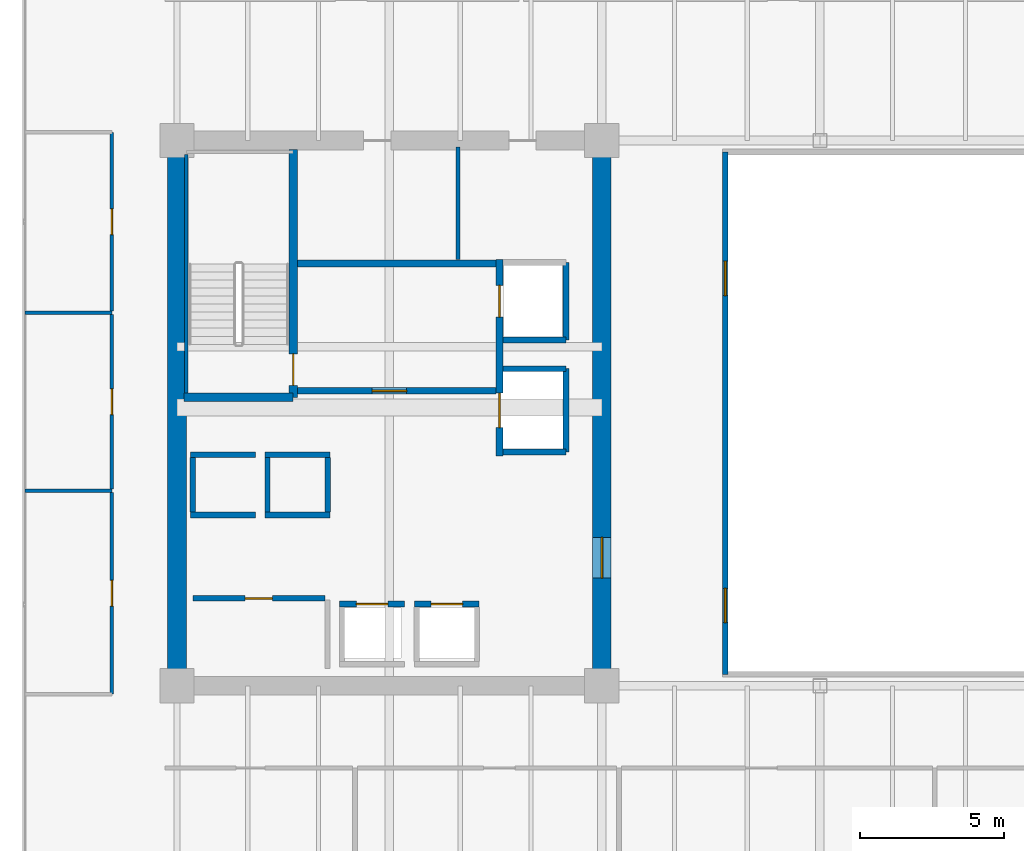
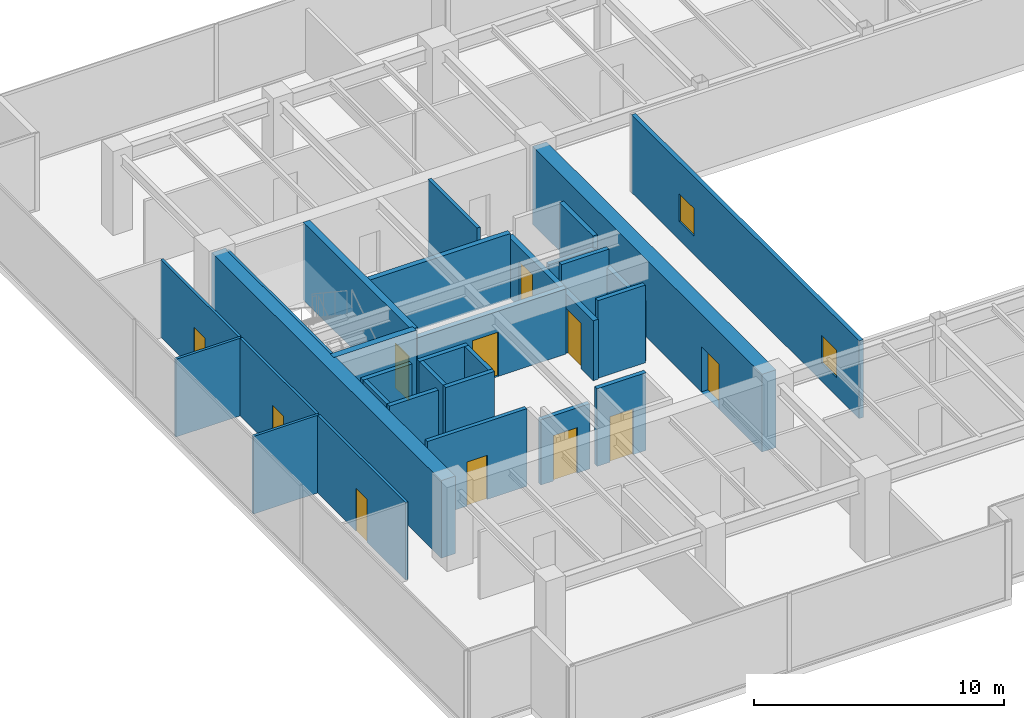
# One storey, part 25 of 30: 30 walls, 11 doors, 2 windows, 13 openings.
"""IFC4 building model written with IfcOpenShell, lengths in metres."""

import ifcopenshell
import ifcopenshell.guid

model = None  # the IFC model being written
_history = None  # IfcOwnerHistory: only IFC2X3 demands one
_inside = {}  # id of a spatial element -> (the spatial element, [elements in it])
_under = {}  # id of a project, library or spatial element -> (it, [spatial elements below it])
_declared = {}  # id of a project -> (the project, [libraries it declares])
_typed = {}  # id of a type object -> (the type object, [elements of that type])
_made_of = {}  # id of a material, layer set ... -> (it, [elements and type objects made of it])


def new_model(schema):
    """Start an empty IFC model of exactly this schema.

    Asked for "IFC4X3", IfcOpenShell would pick the latest addendum, in which some entities
    have other attributes; the version numbers below select the first issue.
    IFC2X3 requires an IfcOwnerHistory on every rooted entity: one is made here for all.
    """
    global model, _history
    if schema == "IFC4X3":
        model = ifcopenshell.file(schema_version=(4, 3, 0, 0))
    else:
        model = ifcopenshell.file(schema=schema)
    _inside.clear()
    _under.clear()
    _declared.clear()
    _typed.clear()
    _made_of.clear()
    _history = None
    if model.schema == "IFC2X3":
        org = make("IfcOrganization", Name="unknown")
        user = make(
            "IfcPersonAndOrganization",
            ThePerson=make("IfcPerson", FamilyName="unknown"),
            TheOrganization=org,
        )
        app = make(
            "IfcApplication",
            ApplicationDeveloper=org,
            Version="unknown",
            ApplicationFullName="unknown",
            ApplicationIdentifier="unknown",
        )
        _history = make(
            "IfcOwnerHistory",
            OwningUser=user,
            OwningApplication=app,
            ChangeAction="ADDED",
            CreationDate=0,
        )
    return model


def make(cls, **values):
    """One entity of the class cls with the attributes given. An attribute that is None is left unset."""
    return model.create_entity(
        cls, **{name: value for name, value in values.items() if value is not None}
    )


def rooted(cls, **values):
    """An entity with a GlobalId (a new one), such as an element, a storey or a relation."""
    return make(cls, GlobalId=ifcopenshell.guid.new(), OwnerHistory=_history, **values)


def si_unit(unit_type, name, prefix=None):
    """IfcSIUnit, for example si_unit("LENGTHUNIT", "METRE", prefix="MILLI")."""
    return make("IfcSIUnit", UnitType=unit_type, Prefix=prefix, Name=name)


def assignment(units):
    """IfcUnitAssignment: the units of a project."""
    return None if units is None else make("IfcUnitAssignment", Units=units)


def point(xyz):
    """IfcCartesianPoint."""
    return None if xyz is None else make("IfcCartesianPoint", Coordinates=xyz)


def direction(xyz):
    """IfcDirection."""
    return None if xyz is None else make("IfcDirection", DirectionRatios=xyz)


def frame(location, z_axis=None, x_axis=None):
    """IfcAxis2Placement3D, a coordinate frame: its origin and axes. An axis left out is left unset."""
    return make(
        "IfcAxis2Placement3D",
        Location=point(location),
        Axis=direction(z_axis),
        RefDirection=direction(x_axis),
    )


def frame_2d(location, x_axis=None):
    """IfcAxis2Placement2D, a coordinate frame in the plane: its origin and x axis."""
    return make(
        "IfcAxis2Placement2D", Location=point(location), RefDirection=direction(x_axis)
    )


def origin():
    """The frame at (0, 0, 0) with its axes left unset."""
    return frame((0.0, 0.0, 0.0))


def place(relative_to, where):
    """IfcLocalPlacement: puts the frame where relative to a parent placement (None: the world)."""
    return make(
        "IfcLocalPlacement", PlacementRelTo=relative_to, RelativePlacement=where
    )


def context(
    kind, dimensions, precision=None, world=None, true_north=None, identifier=None
):
    """IfcGeometricRepresentationContext, for example the 3D "Model" context."""
    return make(
        "IfcGeometricRepresentationContext",
        ContextIdentifier=identifier,
        ContextType=kind,
        CoordinateSpaceDimension=dimensions,
        Precision=precision,
        WorldCoordinateSystem=world,
        TrueNorth=true_north,
    )


def subcontext(parent, identifier, kind, view, scale=None):
    """IfcGeometricRepresentationSubContext, for example "Body" below "Model"."""
    return make(
        "IfcGeometricRepresentationSubContext",
        ContextIdentifier=identifier,
        ContextType=kind,
        ParentContext=parent,
        TargetScale=scale,
        TargetView=view,
    )


def project(units=None, contexts=None):
    """IfcProject with its units and contexts."""
    return rooted(
        "IfcProject",
        Name="project",
        RepresentationContexts=contexts,
        UnitsInContext=assignment(units),
    )


def spatial(cls, under=None, at=None, **own):
    """A site, building, storey or space (cls), placed at a placement, below another one or the project."""
    s = rooted(cls, ObjectPlacement=at, **own)
    if under is not None:
        _under.setdefault(under.id(), (under, []))[1].append(s)
    return s


def profile(cls, at=None, kind="AREA", **sizes):
    """A parametric profile (cls). Its sizes go by their IFC names, for example OverallWidth=200.0."""
    return make(cls, ProfileType=kind, Position=at, **sizes)


def rectangle(**sizes):
    """IfcRectangleProfileDef."""
    return profile("IfcRectangleProfileDef", **sizes)


def extrude(swept, where, along, depth):
    """IfcExtrudedAreaSolid: the profile swept, set in the frame where, extruded along a direction by depth."""
    return make(
        "IfcExtrudedAreaSolid",
        SweptArea=swept,
        Position=where,
        ExtrudedDirection=direction(along),
        Depth=depth,
    )


def shape(context_of_items, identifier, shape_type, items):
    """IfcShapeRepresentation: the items that make up one representation, for example the "Body"."""
    return make(
        "IfcShapeRepresentation",
        ContextOfItems=context_of_items,
        RepresentationIdentifier=identifier,
        RepresentationType=shape_type,
        Items=items,
    )


def source(mapping_origin, context_of_items, identifier, shape_type, items):
    """IfcRepresentationMap: a shape defined once, which mapped items show again and again."""
    return make(
        "IfcRepresentationMap",
        MappingOrigin=mapping_origin,
        MappedRepresentation=shape(context_of_items, identifier, shape_type, items),
    )


def transform(
    local_origin,
    x_axis=None,
    y_axis=None,
    z_axis=None,
    scale=None,
    scale2=None,
    scale3=None,
    uniform=True,
):
    """IfcCartesianTransformationOperator3D, or its non-uniform kind. x_axis, y_axis, z_axis: its Axis1, 2, 3."""
    if uniform:
        return make(
            "IfcCartesianTransformationOperator3D",
            Axis1=direction(x_axis),
            Axis2=direction(y_axis),
            LocalOrigin=point(local_origin),
            Scale=scale,
            Axis3=direction(z_axis),
        )
    return make(
        "IfcCartesianTransformationOperator3DnonUniform",
        Axis1=direction(x_axis),
        Axis2=direction(y_axis),
        LocalOrigin=point(local_origin),
        Scale=scale,
        Axis3=direction(z_axis),
        Scale2=scale2,
        Scale3=scale3,
    )


def mapped(mapping_source, mapping_target):
    """IfcMappedItem: shows the shape of a source again, moved by a transform."""
    return make(
        "IfcMappedItem", MappingSource=mapping_source, MappingTarget=mapping_target
    )


def material(Name=None, Category=None):
    """IfcMaterial."""
    return make("IfcMaterial", Name=Name, Category=Category)


def layer(
    of_material, thickness, ventilated=None, Name=None, Category=None, Priority=None
):
    """IfcMaterialLayer: one layer of a wall or slab, of a material (None: an air gap)."""
    return make(
        "IfcMaterialLayer",
        Material=of_material,
        LayerThickness=thickness,
        IsVentilated=ventilated,
        Name=Name,
        Category=Category,
        Priority=Priority,
    )


def layer_set(layers, Name=None):
    """IfcMaterialLayerSet."""
    return make("IfcMaterialLayerSet", MaterialLayers=layers, LayerSetName=Name)


def made_of(thing, what):
    """Note that an element or type object is made of a material, layer set ...; save() writes the relation."""
    if what is not None:
        _made_of.setdefault(what.id(), (what, []))[1].append(thing)
    return thing


def type_object(cls, material=None, **own):
    """A type object (cls), such as IfcWallType, which elements share."""
    return made_of(rooted(cls, **own), material)


def type_shapes(of_type, sources):
    """Give a type object the sources (RepresentationMaps) that its elements show as mapped items."""
    of_type.RepresentationMaps = sources


def element(
    cls,
    number,
    at=None,
    inside=None,
    cuts=None,
    type_object=None,
    material=None,
    context=None,
    identifier="Body",
    shape_type=None,
    held_by="IfcProductDefinitionShape",
    body=None,
    shapes=None,
    **own,
):
    """One element of the class cls, such as IfcWall. Its Tag is "e" and its number.

    at: its placement. inside: the storey or other place that contains it. cuts: it is an
    opening in that element (IfcRelVoidsElement). A single representation is given by context,
    identifier, shape_type and body (its items); several are given by shapes. held_by: the class
    of the entity that holds the representations. save() writes the other relations.
    """
    e = rooted(cls, Tag="e%d" % number, ObjectPlacement=at, **own)
    if body is not None:
        shapes = [shape(context, identifier, shape_type, body)]
    if shapes is not None:
        e.Representation = make(held_by, Representations=shapes)
    if inside is not None:
        _inside.setdefault(inside.id(), (inside, []))[1].append(e)
    if cuts is not None:
        rooted(
            "IfcRelVoidsElement", RelatingBuildingElement=cuts, RelatedOpeningElement=e
        )
    if type_object is not None:
        _typed.setdefault(type_object.id(), (type_object, []))[1].append(e)
    return made_of(e, material)


def fill(opening, filler):
    """IfcRelFillsElement: the door or window that sits in an opening."""
    return rooted(
        "IfcRelFillsElement",
        RelatingOpeningElement=opening,
        RelatedBuildingElement=filler,
    )


def aggregate(whole, parts):
    """IfcRelAggregates: a whole, such as a stair, and the parts it consists of."""
    return rooted("IfcRelAggregates", RelatingObject=whole, RelatedObjects=parts)


def save(model, path):
    """Write the relations noted so far, then the file.

    IfcRelAggregates (storeys below a building ...), IfcRelContainedInSpatialStructure (elements
    in a storey), IfcRelDefinesByType, IfcRelAssociatesMaterial and IfcRelDeclares: one each for
    every whole, place, type object, material and project.
    """
    for whole, parts in _under.values():
        aggregate(whole, parts)
    for where, things in _inside.values():
        rooted(
            "IfcRelContainedInSpatialStructure",
            RelatedElements=things,
            RelatingStructure=where,
        )
    for kind, things in _typed.values():
        rooted("IfcRelDefinesByType", RelatedObjects=things, RelatingType=kind)
    for what, things in _made_of.values():
        rooted("IfcRelAssociatesMaterial", RelatedObjects=things, RelatingMaterial=what)
    for by, libraries in _declared.values():
        rooted("IfcRelDeclares", RelatingContext=by, RelatedDefinitions=libraries)
    model.write(path)


model = new_model("IFC4")

# Units and contexts
model_context = context("Model", 3, precision=1e-05, world=origin(), true_north=direction((0.0, 1.0)))
body_context = subcontext(model_context, "Body", "Model", "MODEL_VIEW")
ifc_project = project(units=[si_unit("LENGTHUNIT", "METRE"), si_unit("AREAUNIT", "SQUARE_METRE"), si_unit("VOLUMEUNIT", "CUBIC_METRE"), si_unit("PLANEANGLEUNIT", "RADIAN"), si_unit("MASSUNIT", "GRAM", prefix="KILO")], contexts=[model_context])

# Site, building, storey
site_placement = place(None, origin())
site = spatial("IfcSite", under=ifc_project, at=site_placement, CompositionType="ELEMENT")
building_placement = place(site_placement, origin())
building = spatial("IfcBuilding", under=site, at=building_placement, Name="Haelvirn Gate Laboratories", CompositionType="ELEMENT")
storey_placement = place(building_placement, frame((0.0, 0.0, 162.5)))
storey = spatial("IfcBuildingStorey", under=building, at=storey_placement, Name="L39", CompositionType="ELEMENT", Elevation=162.5)

# Wall, openings, windows
ifc_material_1 = material(Name="Tempered fire-rated borosilicate glass & anodised aluminium", Category="aluminium")
ifc_layer_1 = layer(ifc_material_1, 0.195068359375, Name="IW-GLAZ-200")
ifc_layer_set_1 = layer_set([ifc_layer_1], Name="Tempered fire-rated borosilicate glass & anodised aluminium")
wall_type_1 = type_object("IfcWallType", Name="IW-GLAZ-200", PredefinedType="SOLIDWALL", material=ifc_layer_set_1)
wall_1_placement = place(storey_placement, frame((26.5, 15.199951171875, 0.0), z_axis=(0.0, 0.0, 1.0), x_axis=(0.0, 1.0, 0.0)))
wall_1 = element("IfcWall", 1, at=wall_1_placement, inside=storey, type_object=wall_type_1, Name="L39 Interior Wall IW-L39-ATRIUM-W", PredefinedType="SOLIDWALL", context=body_context, shape_type="SweptSolid", body=[
    extrude(rectangle(XDim=18.199951171875, YDim=0.195068359375, at=frame_2d((9.10009765625, 0.0))), origin(), (0.0, 0.0, 1.0), 3.7900390625),
])
opening_1_placement = place(wall_1_placement, frame((1.800048828125, 0.0, 0.89990234375)))
opening_1 = element("IfcOpeningElement", 2, at=opening_1_placement, cuts=wall_1, Name="Opening W6", PredefinedType="OPENING", context=body_context, shape_type="SweptSolid", body=[
    extrude(rectangle(XDim=1.199951171875, YDim=1.35009765625, at=frame_2d((0.60009765625, 0.675048828125))), frame((0.0, 0.107421875, 0.0), z_axis=(0.0, -1.0, 0.0), x_axis=(1.0, 0.0, 0.0)), (0.0, 0.0, 1.0), 0.215087890625),
])
opening_2_placement = place(wall_1_placement, frame((13.199951171875, 0.0, 0.89990234375)))
opening_2 = element("IfcOpeningElement", 3, at=opening_2_placement, cuts=wall_1, Name="Opening W6", PredefinedType="OPENING", context=body_context, shape_type="SweptSolid", body=[
    extrude(rectangle(XDim=1.199951171875, YDim=1.35009765625, at=frame_2d((0.60009765625, 0.675048828125))), frame((0.0, 0.107421875, 0.0), z_axis=(0.0, -1.0, 0.0), x_axis=(1.0, 0.0, 0.0)), (0.0, 0.0, 1.0), 0.215087890625),
])
ifc_material_2 = material(Name="Fire-rated EI 120 borosilicate atrium vision glazing", Category="glass")
window_type = type_object("IfcWindowType", Name="WN-ATR-1200", PartitioningType="SINGLE_PANEL", PredefinedType="WINDOW", material=ifc_material_2)
shared_shape_1 = source(origin(), body_context, "Body", "SweptSolid", [
    extrude(rectangle(XDim=1.199951171875, YDim=1.35009765625, at=frame_2d((0.60009765625, 0.675048828125))), frame((0.0, 0.030029296875, 0.0), z_axis=(0.0, -1.0, 0.0), x_axis=(1.0, 0.0, 0.0)), (0.0, 0.0, 1.0), 0.06005859375),
])
type_shapes(window_type, [shared_shape_1])
window_1_placement = place(opening_1_placement, origin())
window_1 = element("IfcWindow", 4, at=window_1_placement, inside=storey, type_object=window_type, Name="L39 Atrium Observation Window 1", OverallHeight=1.35009765625, OverallWidth=1.199951171875, PartitioningType="SINGLE_PANEL", PredefinedType="WINDOW", context=body_context, shape_type="MappedRepresentation", body=[
    mapped(shared_shape_1, transform((0.0, 0.0, 0.0), scale=1.0)),
])
fill(opening_1, window_1)
window_2_placement = place(opening_2_placement, origin())
window_2 = element("IfcWindow", 5, at=window_2_placement, inside=storey, type_object=window_type, Name="L39 Atrium Observation Window 2", OverallHeight=1.35009765625, OverallWidth=1.199951171875, PartitioningType="SINGLE_PANEL", PredefinedType="WINDOW", context=body_context, shape_type="MappedRepresentation", body=[
    mapped(shared_shape_1, transform((0.0, 0.0, 0.0), scale=1.0)),
])
fill(opening_2, window_2)

# Wall, opening, door
ifc_material_3 = material(Name="Lightweight acoustic gypsum board partition", Category="gypsum")
ifc_layer_2 = layer(ifc_material_3, 0.1201171875, Name="IW-PART-120")
ifc_layer_set_2 = layer_set([ifc_layer_2], Name="Lightweight acoustic gypsum board partition")
wall_type_2 = type_object("IfcWallType", Name="IW-PART-120", PredefinedType="PARTITIONING", material=ifc_layer_set_2)
wall_2_placement = place(storey_placement, frame((5.1298828125, 14.514892578125, 0.0), z_axis=(0.0, 0.0, 1.0), x_axis=(0.0, 1.0, 0.0)))
wall_2 = element("IfcWall", 6, at=wall_2_placement, inside=storey, type_object=wall_type_2, Name="L39 Interior Wall IW-L39-WPASS-01", PredefinedType="PARTITIONING", context=body_context, shape_type="SweptSolid", body=[
    extrude(rectangle(XDim=7.025146484375, YDim=0.1201171875, at=frame_2d((3.5126953125, 0.0))), origin(), (0.0, 0.0, 1.0), 3.7900390625),
])
opening_3_placement = place(wall_2_placement, frame((3.0625, 0.0, 0.0)))
opening_3 = element("IfcOpeningElement", 7, at=opening_3_placement, cuts=wall_2, Name="Opening D4", PredefinedType="OPENING", context=body_context, shape_type="SweptSolid", body=[
    extrude(rectangle(XDim=0.89990234375, YDim=2.10009765625, at=frame_2d((0.449951171875, 1.050048828125))), frame((0.0, 0.070068359375, 0.0), z_axis=(0.0, -1.0, 0.0), x_axis=(1.0, 0.0, 0.0)), (0.0, 0.0, 1.0), 0.14013671875),
])
ifc_material_4 = material(Name="Glazed aluminium-framed write-up door", Category="aluminium")
door_type_1 = type_object("IfcDoorType", Name="DR-OFF-900", OperationType="NOTDEFINED", PredefinedType="DOOR", material=ifc_material_4)
shared_shape_2 = source(origin(), body_context, "Body", "SweptSolid", [
    extrude(rectangle(XDim=0.89990234375, YDim=2.10009765625, at=frame_2d((0.449951171875, 1.050048828125))), frame((0.0, 0.02490234375, 0.0), z_axis=(0.0, -1.0, 0.0), x_axis=(1.0, 0.0, 0.0)), (0.0, 0.0, 1.0), 0.050048828125),
])
type_shapes(door_type_1, [shared_shape_2])
door_1_placement = place(opening_3_placement, origin())
door_1 = element("IfcDoor", 8, at=door_1_placement, inside=storey, type_object=door_type_1, Name="L39 Researcher Quiet Study Door W1", OperationType="SINGLE_SWING_LEFT", OverallHeight=2.10009765625, OverallWidth=0.89990234375, PredefinedType="DOOR", context=body_context, shape_type="MappedRepresentation", body=[
    mapped(shared_shape_2, transform((0.0, 0.0, 0.0), scale=1.0)),
])
fill(opening_3, door_1)

# Wall
wall_3_placement = place(storey_placement, frame((2.110107421875, 21.60009765625, 0.0), z_axis=(0.0, 0.0, 1.0), x_axis=(1.0, 0.0, 0.0)))
element("IfcWall", 9, at=wall_3_placement, inside=storey, type_object=wall_type_2, Name="L39 Interior Wall IW-L39-WDIV-01", PredefinedType="PARTITIONING", context=body_context, shape_type="SweptSolid", body=[
    extrude(rectangle(XDim=3.019775390625, YDim=0.1201171875, at=frame_2d((1.509765625, 0.0))), origin(), (0.0, 0.0, 1.0), 3.7900390625),
])

# Wall, opening, door
wall_4_placement = place(storey_placement, frame((5.1298828125, 21.659912109375, 0.0), z_axis=(0.0, 0.0, 1.0), x_axis=(0.0, 1.0, 0.0)))
wall_4 = element("IfcWall", 10, at=wall_4_placement, inside=storey, type_object=wall_type_2, Name="L39 Interior Wall IW-L39-WPASS-02", PredefinedType="PARTITIONING", context=body_context, shape_type="SweptSolid", body=[
    extrude(rectangle(XDim=6.080078125, YDim=0.1201171875, at=frame_2d((3.0400390625, 0.0))), origin(), (0.0, 0.0, 1.0), 3.7900390625),
])
opening_4_placement = place(wall_4_placement, frame((2.590087890625, 0.0, 0.0)))
opening_4 = element("IfcOpeningElement", 11, at=opening_4_placement, cuts=wall_4, Name="Opening D4", PredefinedType="OPENING", context=body_context, shape_type="SweptSolid", body=[
    extrude(rectangle(XDim=0.89990234375, YDim=2.10009765625, at=frame_2d((0.449951171875, 1.050048828125))), frame((0.0, 0.070068359375, 0.0), z_axis=(0.0, -1.0, 0.0), x_axis=(1.0, 0.0, 0.0)), (0.0, 0.0, 1.0), 0.14013671875),
])
door_2_placement = place(opening_4_placement, origin())
door_2 = element("IfcDoor", 12, at=door_2_placement, inside=storey, type_object=door_type_1, Name="L39 Postdoctoral Reading Lounge Door W2", OperationType="SINGLE_SWING_RIGHT", OverallHeight=2.10009765625, OverallWidth=0.89990234375, PredefinedType="DOOR", context=body_context, shape_type="MappedRepresentation", body=[
    mapped(shared_shape_2, transform((0.0, 0.0, 0.0), scale=1.0)),
])
fill(opening_4, door_2)

# Wall
wall_5_placement = place(storey_placement, frame((2.110107421875, 27.800048828125, 0.0), z_axis=(0.0, 0.0, 1.0), x_axis=(1.0, 0.0, 0.0)))
element("IfcWall", 13, at=wall_5_placement, inside=storey, type_object=wall_type_2, Name="L39 Interior Wall IW-L39-WDIV-02", PredefinedType="PARTITIONING", context=body_context, shape_type="SweptSolid", body=[
    extrude(rectangle(XDim=3.019775390625, YDim=0.1201171875, at=frame_2d((1.509765625, 0.0))), origin(), (0.0, 0.0, 1.0), 3.7900390625),
])

# Wall, opening, door
wall_6_placement = place(storey_placement, frame((5.1298828125, 27.860107421875, 0.0), z_axis=(0.0, 0.0, 1.0), x_axis=(0.0, 1.0, 0.0)))
wall_6 = element("IfcWall", 14, at=wall_6_placement, inside=storey, type_object=wall_type_2, Name="L39 Interior Wall IW-L39-WPASS-03", PredefinedType="PARTITIONING", context=body_context, shape_type="SweptSolid", body=[
    extrude(rectangle(XDim=6.224853515625, YDim=0.1201171875, at=frame_2d((3.1123046875, 0.0))), origin(), (0.0, 0.0, 1.0), 3.7900390625),
])
opening_5_placement = place(wall_6_placement, frame((2.66259765625, 0.0, 0.0)))
opening_5 = element("IfcOpeningElement", 15, at=opening_5_placement, cuts=wall_6, Name="Opening D4", PredefinedType="OPENING", context=body_context, shape_type="SweptSolid", body=[
    extrude(rectangle(XDim=0.89990234375, YDim=2.10009765625, at=frame_2d((0.449951171875, 1.050048828125))), frame((0.0, 0.070068359375, 0.0), z_axis=(0.0, -1.0, 0.0), x_axis=(1.0, 0.0, 0.0)), (0.0, 0.0, 1.0), 0.14013671875),
])
door_3_placement = place(opening_5_placement, origin())
door_3 = element("IfcDoor", 16, at=door_3_placement, inside=storey, type_object=door_type_1, Name="L39 Occupational Biosafety Clinic Door W3", OperationType="SINGLE_SWING_LEFT", OverallHeight=2.10009765625, OverallWidth=0.89990234375, PredefinedType="DOOR", context=body_context, shape_type="MappedRepresentation", body=[
    mapped(shared_shape_2, transform((0.0, 0.0, 0.0), scale=1.0)),
])
fill(opening_5, door_3)

# Walls
ifc_material_5 = material(Name="Cement-board restroom plumbing chase wall", Category="gypsum")
ifc_layer_3 = layer(ifc_material_5, 0.155029296875, Name="IW-PLUMB-160")
ifc_layer_set_3 = layer_set([ifc_layer_3], Name="Cement-board restroom plumbing chase wall")
wall_type_3 = type_object("IfcWallType", Name="IW-PLUMB-160", PredefinedType="PLUMBINGWALL", material=ifc_layer_set_3)
wall_7_placement = place(storey_placement, frame((17.18994140625, 29.64990234375, 0.0), z_axis=(0.0, 0.0, 1.0), x_axis=(0.0, 1.0, 0.0)))
element("IfcWall", 17, at=wall_7_placement, inside=storey, type_object=wall_type_3, Name="L39 Interior Wall IW-L39-W-CDIV-1", PredefinedType="PLUMBINGWALL", context=body_context, shape_type="SweptSolid", body=[
    extrude(rectangle(XDim=3.93017578125, YDim=0.155029296875, at=frame_2d((1.965087890625, 0.0))), origin(), (0.0, 0.0, 1.0), 3.7900390625),
])
ifc_material_6 = material(Name="Concrete C40/50", Category="concrete")
ifc_layer_4 = layer(ifc_material_6, 0.179931640625, Name="IW-SHAFT-180")
ifc_layer_set_4 = layer_set([ifc_layer_4], Name="Concrete C40/50")
wall_type_4 = type_object("IfcWallType", Name="IW-SHAFT-180", PredefinedType="SOLIDWALL", material=ifc_layer_set_4)
for number, where, z_axis, x_axis, name in (
    (18, (7.949951171875, 20.85009765625, 0.0), (0.0, 0.0, 1.0), (0.0, 1.0, 0.0), "L39 Interior Wall IW-L39-PL9-SD"),
    (19, (10.550048828125, 20.85009765625, 0.0), (0.0, 0.0, 1.0), (0.0, 1.0, 0.0), "L39 Interior Wall IW-L39-PL10-SD"),
    (20, (12.64990234375, 20.85009765625, 0.0), (0.0, 0.0, 1.0), (0.0, 1.0, 0.0), "L39 Interior Wall IW-L39-PL10-SDE"),
):
    element("IfcWall", number, at=place(storey_placement, frame(where, z_axis=z_axis, x_axis=x_axis)), inside=storey, type_object=wall_type_4, Name=name, PredefinedType="SOLIDWALL", context=body_context, shape_type="SweptSolid", body=[
        extrude(rectangle(XDim=1.89990234375, YDim=0.179931640625, at=frame_2d((0.949951171875, 0.0))), origin(), (0.0, 0.0, 1.0), 3.7900390625),
    ])

# Wall, opening, door
wall_8_placement = place(storey_placement, frame((7.949951171875, 17.85009765625, 0.0), z_axis=(0.0, 0.0, 1.0), x_axis=(1.0, 0.0, 0.0)))
wall_8 = element("IfcWall", 21, at=wall_8_placement, inside=storey, type_object=wall_type_4, Name="L39 Interior Wall IW-L39-W-FREED-LN-1", PredefinedType="SOLIDWALL", context=body_context, shape_type="SweptSolid", body=[
    extrude(rectangle(XDim=4.60009765625, YDim=0.179931640625, at=frame_2d((2.300048828125, 0.0))), origin(), (0.0, 0.0, 1.0), 3.7900390625),
])
opening_6_placement = place(wall_8_placement, frame((1.824951171875, 0.0, 0.0)))
opening_6 = element("IfcOpeningElement", 22, at=opening_6_placement, cuts=wall_8, Name="Opening FD4", PredefinedType="OPENING", context=body_context, shape_type="SweptSolid", body=[
    extrude(rectangle(XDim=0.949951171875, YDim=2.14990234375, at=frame_2d((0.47509765625, 1.074951171875))), frame((0.0, 0.10009765625, 0.0), z_axis=(0.0, -1.0, 0.0), x_axis=(1.0, 0.0, 0.0)), (0.0, 0.0, 1.0), 0.199951171875),
])
ifc_material_7 = material(Name="Fire-rated steel SM355 core service door", Category="steel")
door_type_2 = type_object("IfcDoorType", Name="DR-FD-950", OperationType="NOTDEFINED", PredefinedType="DOOR", material=ifc_material_7)
shared_shape_3 = source(origin(), body_context, "Body", "SweptSolid", [
    extrude(rectangle(XDim=0.949951171875, YDim=2.14990234375, at=frame_2d((0.47509765625, 1.074951171875))), frame((0.0, 0.02490234375, 0.0), z_axis=(0.0, -1.0, 0.0), x_axis=(1.0, 0.0, 0.0)), (0.0, 0.0, 1.0), 0.050048828125),
])
type_shapes(door_type_2, [shared_shape_3])
door_4_placement = place(opening_6_placement, origin())
door_4 = element("IfcDoor", 23, at=door_4_placement, inside=storey, type_object=door_type_2, Name="L39 Cryogenic Specimen Biobank Door", OperationType="SINGLE_SWING_LEFT", OverallHeight=2.14990234375, OverallWidth=0.949951171875, PredefinedType="DOOR", context=body_context, shape_type="MappedRepresentation", body=[
    mapped(shared_shape_3, transform((0.0, 0.0, 0.0), scale=1.0)),
])
fill(opening_6, door_4)

ifc_layer_5 = layer(ifc_material_6, 0.199951171875, Name="IW-SHAFT-200")
ifc_layer_set_5 = layer_set([ifc_layer_5], Name="Concrete C40/50")
wall_type_5 = type_object("IfcWallType", Name="IW-SHAFT-200", PredefinedType="SOLIDWALL", material=ifc_layer_set_5)
wall_9_placement = place(storey_placement, frame((13.070068359375, 17.64990234375, 0.0), z_axis=(0.0, 0.0, 1.0), x_axis=(1.0, 0.0, 0.0)))
wall_9 = element("IfcWall", 24, at=wall_9_placement, inside=storey, type_object=wall_type_5, Name="L39 Interior Wall IW-L39-PL5-FR", PredefinedType="SOLIDWALL", context=body_context, shape_type="SweptSolid", body=[
    extrude(rectangle(XDim=2.260009765625, YDim=0.199951171875, at=frame_2d((1.1298828125, 0.0))), origin(), (0.0, 0.0, 1.0), 3.18701171875),
])
opening_7_placement = place(wall_9_placement, frame((0.580078125, 0.0, 0.0)))
opening_7 = element("IfcOpeningElement", 25, at=opening_7_placement, cuts=wall_9, Name="Opening LD2", PredefinedType="OPENING", context=body_context, shape_type="SweptSolid", body=[
    extrude(rectangle(XDim=1.10009765625, YDim=2.219970703125, at=frame_2d((0.550048828125, 1.10986328125))), frame((0.0, 0.10986328125, 0.0), z_axis=(0.0, -1.0, 0.0), x_axis=(1.0, 0.0, 0.0)), (0.0, 0.0, 1.0), 0.219970703125),
])
ifc_material_8 = material(Name="Bronze stainless 316L sliding lift landing door")
door_type_3 = type_object("IfcDoorType", Name="DR-LD-1100", OperationType="NOTDEFINED", PredefinedType="USERDEFINED", material=ifc_material_8)
shared_shape_4 = source(origin(), body_context, "Body", "SweptSolid", [
    extrude(rectangle(XDim=1.10009765625, YDim=2.219970703125, at=frame_2d((0.550048828125, 1.10986328125))), frame((0.0, 0.02490234375, 0.0), z_axis=(0.0, -1.0, 0.0), x_axis=(1.0, 0.0, 0.0)), (0.0, 0.0, 1.0), 0.050048828125),
])
type_shapes(door_type_3, [shared_shape_4])
door_5_placement = place(opening_7_placement, origin())
door_5 = element("IfcDoor", 26, at=door_5_placement, inside=storey, type_object=door_type_3, Name="L39 Passenger Lift PL5 Landing Door", ObjectType="LANDING_DOOR", OperationType="SLIDING_TO_LEFT", OverallHeight=2.219970703125, OverallWidth=1.10009765625, PredefinedType="USERDEFINED", context=body_context, shape_type="MappedRepresentation", body=[
    mapped(shared_shape_4, transform((0.0, 0.0, 0.0), scale=1.0)),
])
fill(opening_7, door_5)

wall_10_placement = place(storey_placement, frame((15.669921875, 17.64990234375, 0.0), z_axis=(0.0, 0.0, 1.0), x_axis=(1.0, 0.0, 0.0)))
wall_10 = element("IfcWall", 27, at=wall_10_placement, inside=storey, type_object=wall_type_5, Name="L39 Interior Wall IW-L39-PL6-FR", PredefinedType="SOLIDWALL", context=body_context, shape_type="SweptSolid", body=[
    extrude(rectangle(XDim=2.260009765625, YDim=0.199951171875, at=frame_2d((1.1298828125, 0.0))), origin(), (0.0, 0.0, 1.0), 3.7900390625),
])
opening_8_placement = place(wall_10_placement, frame((0.580078125, 0.0, 0.0)))
opening_8 = element("IfcOpeningElement", 28, at=opening_8_placement, cuts=wall_10, Name="Opening LD2", PredefinedType="OPENING", context=body_context, shape_type="SweptSolid", body=[
    extrude(rectangle(XDim=1.10009765625, YDim=2.219970703125, at=frame_2d((0.550048828125, 1.10986328125))), frame((0.0, 0.10986328125, 0.0), z_axis=(0.0, -1.0, 0.0), x_axis=(1.0, 0.0, 0.0)), (0.0, 0.0, 1.0), 0.219970703125),
])
door_6_placement = place(opening_8_placement, origin())
door_6 = element("IfcDoor", 29, at=door_6_placement, inside=storey, type_object=door_type_3, Name="L39 Passenger Lift PL6 Landing Door", ObjectType="LANDING_DOOR", OperationType="SLIDING_TO_RIGHT", OverallHeight=2.219970703125, OverallWidth=1.10009765625, PredefinedType="USERDEFINED", context=body_context, shape_type="MappedRepresentation", body=[
    mapped(shared_shape_4, transform((0.0, 0.0, 0.0), scale=1.0)),
])
fill(opening_8, door_6)

# Walls
for number, where, z_axis, x_axis, name in (
    (30, (7.8701171875, 20.75, 0.0), (0.0, 0.0, 1.0), (1.0, 0.0, 0.0), "L39 Interior Wall IW-L39-PL9-FR"),
    (31, (7.8701171875, 22.85009765625, 0.0), (0.0, 0.0, 1.0), (1.0, 0.0, 0.0), "L39 Interior Wall IW-L39-PL9-BK"),
):
    element("IfcWall", number, at=place(storey_placement, frame(where, z_axis=z_axis, x_axis=x_axis)), inside=storey, type_object=wall_type_5, Name=name, PredefinedType="SOLIDWALL", context=body_context, shape_type="SweptSolid", body=[
        extrude(rectangle(XDim=2.259765625, YDim=0.199951171875, at=frame_2d((1.1298828125, 0.0))), origin(), (0.0, 0.0, 1.0), 3.7900390625),
    ])
for number, where, z_axis, x_axis, name in (
    (32, (10.469970703125, 20.75, 0.0), (0.0, 0.0, 1.0), (1.0, 0.0, 0.0), "L39 Interior Wall IW-L39-PL10-FR"),
    (33, (10.469970703125, 22.85009765625, 0.0), (0.0, 0.0, 1.0), (1.0, 0.0, 0.0), "L39 Interior Wall IW-L39-PL10-BK"),
):
    element("IfcWall", number, at=place(storey_placement, frame(where, z_axis=z_axis, x_axis=x_axis)), inside=storey, type_object=wall_type_5, Name=name, PredefinedType="SOLIDWALL", context=body_context, shape_type="SweptSolid", body=[
        extrude(rectangle(XDim=2.260009765625, YDim=0.199951171875, at=frame_2d((1.1298828125, 0.0))), origin(), (0.0, 0.0, 1.0), 3.7900390625),
    ])
wall_11_placement = place(storey_placement, frame((20.949951171875, 26.85009765625, 0.0), z_axis=(0.0, 0.0, 1.0), x_axis=(0.0, 1.0, 0.0)))
element("IfcWall", 34, at=wall_11_placement, inside=storey, type_object=wall_type_5, Name="L39 Interior Wall IW-L39-FL1-BK", PredefinedType="SOLIDWALL", context=body_context, shape_type="SweptSolid", body=[
    extrude(rectangle(XDim=2.699951171875, YDim=0.199951171875, at=frame_2d((1.35009765625, 0.0))), origin(), (0.0, 0.0, 1.0), 3.7900390625),
])
wall_12_placement = place(storey_placement, frame((18.760009765625, 26.85009765625, 0.0), z_axis=(0.0, 0.0, 1.0), x_axis=(1.0, 0.0, 0.0)))
element("IfcWall", 35, at=wall_12_placement, inside=storey, type_object=wall_type_5, Name="L39 Interior Wall IW-L39-FL1-S", PredefinedType="SOLIDWALL", context=body_context, shape_type="SweptSolid", body=[
    extrude(rectangle(XDim=2.18994140625, YDim=0.199951171875, at=frame_2d((1.094970703125, 0.0))), origin(), (0.0, 0.0, 1.0), 3.18701171875),
])
wall_13_placement = place(storey_placement, frame((20.949951171875, 22.949951171875, 0.0), z_axis=(0.0, 0.0, 1.0), x_axis=(0.0, 1.0, 0.0)))
element("IfcWall", 36, at=wall_13_placement, inside=storey, type_object=wall_type_5, Name="L39 Interior Wall IW-L39-SL1-BK", PredefinedType="SOLIDWALL", context=body_context, shape_type="SweptSolid", body=[
    extrude(rectangle(XDim=2.900146484375, YDim=0.199951171875, at=frame_2d((1.4501953125, 0.0))), origin(), (0.0, 0.0, 1.0), 2.925048828125),
])
for number, where, z_axis, x_axis, name in (
    (37, (18.760009765625, 25.85009765625, 0.0), (0.0, 0.0, 1.0), (1.0, 0.0, 0.0), "L39 Interior Wall IW-L39-SL1-N"),
    (38, (18.760009765625, 22.949951171875, 0.0), (0.0, 0.0, 1.0), (1.0, 0.0, 0.0), "L39 Interior Wall IW-L39-SL1-S"),
):
    element("IfcWall", number, at=place(storey_placement, frame(where, z_axis=z_axis, x_axis=x_axis)), inside=storey, type_object=wall_type_5, Name=name, PredefinedType="SOLIDWALL", context=body_context, shape_type="SweptSolid", body=[
        extrude(rectangle(XDim=2.18994140625, YDim=0.199951171875, at=frame_2d((1.094970703125, 0.0))), origin(), (0.0, 0.0, 1.0), 3.7900390625),
    ])

# Wall, opening, door
ifc_layer_6 = layer(ifc_material_6, 0.239990234375, Name="IW-SHAFT-240")
ifc_layer_set_6 = layer_set([ifc_layer_6], Name="Concrete C40/50")
wall_type_6 = type_object("IfcWallType", Name="IW-SHAFT-240", PredefinedType="SOLIDWALL", material=ifc_layer_set_6)
wall_14_placement = place(storey_placement, frame((11.60009765625, 25.080078125, 0.0), z_axis=(0.0, 0.0, 1.0), x_axis=(1.0, 0.0, 0.0)))
wall_14 = element("IfcWall", 39, at=wall_14_placement, inside=storey, type_object=wall_type_6, Name="L39 Interior Wall IW-L39-W-FF-S", PredefinedType="SOLIDWALL", context=body_context, shape_type="SweptSolid", body=[
    extrude(rectangle(XDim=6.919921875, YDim=0.239990234375, at=frame_2d((3.4599609375, 0.0))), origin(), (0.0, 0.0, 1.0), 3.18701171875),
])
opening_9_placement = place(wall_14_placement, frame((2.60009765625, 0.0, 0.0)))
opening_9 = element("IfcOpeningElement", 40, at=opening_9_placement, cuts=wall_14, Name="Opening FD2", PredefinedType="OPENING", context=body_context, shape_type="SweptSolid", body=[
    extrude(rectangle(XDim=1.199951171875, YDim=2.159912109375, at=frame_2d((0.60009765625, 1.080078125))), frame((0.0, 0.1298828125, 0.0), z_axis=(0.0, -1.0, 0.0), x_axis=(1.0, 0.0, 0.0)), (0.0, 0.0, 1.0), 0.260009765625),
])
ifc_material_9 = material(Name="Fire-rated steel SM355 compartment door", Category="steel")
door_type_4 = type_object("IfcDoorType", Name="DR-FD-1200", OperationType="NOTDEFINED", PredefinedType="DOOR", material=ifc_material_9)
shared_shape_5 = source(origin(), body_context, "Body", "SweptSolid", [
    extrude(rectangle(XDim=1.199951171875, YDim=2.159912109375, at=frame_2d((0.60009765625, 1.080078125))), frame((0.0, 0.02490234375, 0.0), z_axis=(0.0, -1.0, 0.0), x_axis=(1.0, 0.0, 0.0)), (0.0, 0.0, 1.0), 0.050048828125),
])
type_shapes(door_type_4, [shared_shape_5])
door_7_placement = place(opening_9_placement, origin())
door_7 = element("IfcDoor", 41, at=door_7_placement, inside=storey, type_object=door_type_4, Name="L39 West Firefighting Lobby Door", OperationType="SINGLE_SWING_RIGHT", OverallHeight=2.159912109375, OverallWidth=1.199951171875, PredefinedType="DOOR", context=body_context, shape_type="MappedRepresentation", body=[
    mapped(shared_shape_5, transform((0.0, 0.0, 0.0), scale=1.0)),
])
fill(opening_9, door_7)

# Wall
wall_15_placement = place(storey_placement, frame((11.60009765625, 29.52001953125, 0.0), z_axis=(0.0, 0.0, 1.0), x_axis=(1.0, 0.0, 0.0)))
element("IfcWall", 42, at=wall_15_placement, inside=storey, type_object=wall_type_6, Name="L39 Interior Wall IW-L39-W-FF-N", PredefinedType="SOLIDWALL", context=body_context, shape_type="SweptSolid", body=[
    extrude(rectangle(XDim=6.919921875, YDim=0.239990234375, at=frame_2d((3.4599609375, 0.0))), origin(), (0.0, 0.0, 1.0), 3.18701171875),
])

# Wall, openings, doors
wall_16_placement = place(storey_placement, frame((18.639892578125, 22.800048828125, 0.0), z_axis=(0.0, 0.0, 1.0), x_axis=(0.0, 1.0, 0.0)))
wall_16 = element("IfcWall", 43, at=wall_16_placement, inside=storey, type_object=wall_type_6, Name="L39 Interior Wall IW-L39-W-FF-E", PredefinedType="SOLIDWALL", context=body_context, shape_type="SweptSolid", body=[
    extrude(rectangle(XDim=6.849853515625, YDim=0.239990234375, at=frame_2d((3.4248046875, 0.0))), origin(), (0.0, 0.0, 1.0), 2.925048828125),
])
opening_10_placement = place(wall_16_placement, frame((4.85009765625, 0.0, 0.0)))
opening_10 = element("IfcOpeningElement", 44, at=opening_10_placement, cuts=wall_16, Name="Opening LD2", PredefinedType="OPENING", context=body_context, shape_type="SweptSolid", body=[
    extrude(rectangle(XDim=1.10009765625, YDim=2.219970703125, at=frame_2d((0.550048828125, 1.10986328125))), frame((0.0, 0.1298828125, 0.0), z_axis=(0.0, -1.0, 0.0), x_axis=(1.0, 0.0, 0.0)), (0.0, 0.0, 1.0), 0.260009765625),
])
opening_11_placement = place(wall_16_placement, frame((1.0, 0.0, 0.0)))
opening_11 = element("IfcOpeningElement", 45, at=opening_11_placement, cuts=wall_16, Name="Opening LD1", PredefinedType="OPENING", context=body_context, shape_type="SweptSolid", body=[
    extrude(rectangle(XDim=1.199951171875, YDim=2.219970703125, at=frame_2d((0.60009765625, 1.10986328125))), frame((0.0, 0.1298828125, 0.0), z_axis=(0.0, -1.0, 0.0), x_axis=(1.0, 0.0, 0.0)), (0.0, 0.0, 1.0), 0.260009765625),
])
door_8_placement = place(opening_10_placement, origin())
door_8 = element("IfcDoor", 46, at=door_8_placement, inside=storey, type_object=door_type_3, Name="L39 Firefighting Lift FL1 Landing Door", ObjectType="LANDING_DOOR", OperationType="SLIDING_TO_LEFT", OverallHeight=2.219970703125, OverallWidth=1.10009765625, PredefinedType="USERDEFINED", context=body_context, shape_type="MappedRepresentation", body=[
    mapped(shared_shape_4, transform((0.0, 0.0, 0.0), scale=1.0)),
])
fill(opening_10, door_8)
ifc_material_10 = material(Name="Stainless steel 316L sliding goods landing door", Category="steel")
door_type_5 = type_object("IfcDoorType", Name="DR-LD-1200", OperationType="NOTDEFINED", PredefinedType="USERDEFINED", material=ifc_material_10)
shared_shape_6 = source(origin(), body_context, "Body", "SweptSolid", [
    extrude(rectangle(XDim=1.199951171875, YDim=2.219970703125, at=frame_2d((0.60009765625, 1.10986328125))), frame((0.0, 0.02490234375, 0.0), z_axis=(0.0, -1.0, 0.0), x_axis=(1.0, 0.0, 0.0)), (0.0, 0.0, 1.0), 0.050048828125),
])
type_shapes(door_type_5, [shared_shape_6])
door_9_placement = place(opening_11_placement, origin())
door_9 = element("IfcDoor", 47, at=door_9_placement, inside=storey, type_object=door_type_5, Name="L39 Service Lift SL1 Landing Door", ObjectType="LANDING_DOOR", OperationType="SLIDING_TO_RIGHT", OverallHeight=2.219970703125, OverallWidth=1.199951171875, PredefinedType="USERDEFINED", context=body_context, shape_type="MappedRepresentation", body=[
    mapped(shared_shape_6, transform((0.0, 0.0, 0.0), scale=1.0)),
])
fill(opening_11, door_9)

# Wall
ifc_material_11 = material(Name="Concrete C60/75", Category="concrete")
ifc_layer_7 = layer(ifc_material_11, 0.64990234375, Name="SW-CORE-650")
ifc_layer_set_7 = layer_set([ifc_layer_7], Name="Concrete C60/75")
wall_type_7 = type_object("IfcWallType", Name="SW-CORE-650", PredefinedType="SHEAR", material=ifc_layer_set_7)
wall_17_placement = place(storey_placement, frame((7.39990234375, 15.125, 0.0), z_axis=(0.0, 0.0, 1.0), x_axis=(0.0, 1.0, 0.0)))
element("IfcWall", 48, at=wall_17_placement, inside=storey, type_object=wall_type_7, Name="L39 W Core Shear Wall W", PredefinedType="SHEAR", context=body_context, shape_type="SweptSolid", body=[
    extrude(rectangle(XDim=18.35009765625, YDim=0.64990234375, at=frame_2d((9.175048828125, 0.0))), origin(), (0.0, 0.0, 1.0), 3.7900390625),
])

# Wall, opening, door
wall_18_placement = place(storey_placement, frame((22.199951171875, 15.125, 0.0), z_axis=(0.0, 0.0, 1.0), x_axis=(0.0, 1.0, 0.0)))
wall_18 = element("IfcWall", 49, at=wall_18_placement, inside=storey, type_object=wall_type_7, Name="L39 W Core Shear Wall E", PredefinedType="SHEAR", context=body_context, shape_type="SweptSolid", body=[
    extrude(rectangle(XDim=18.35009765625, YDim=0.64990234375, at=frame_2d((9.175048828125, 0.0))), origin(), (0.0, 0.0, 1.0), 3.7900390625),
])
opening_12_placement = place(wall_18_placement, frame((3.425048828125, 0.0, 0.0)))
opening_12 = element("IfcOpeningElement", 50, at=opening_12_placement, cuts=wall_18, Name="Opening FD1", PredefinedType="OPENING", context=body_context, shape_type="SweptSolid", body=[
    extrude(rectangle(XDim=1.419921875, YDim=2.199951171875, at=frame_2d((0.7099609375, 1.10009765625))), frame((0.0, 0.3349609375, 0.0), z_axis=(0.0, -1.0, 0.0), x_axis=(1.0, 0.0, 0.0)), (0.0, 0.0, 1.0), 0.669921875),
])
ifc_material_12 = material(Name="Fire-rated double steel SM355 lobby door", Category="steel")
door_type_6 = type_object("IfcDoorType", Name="DR-FD-1400", OperationType="NOTDEFINED", PredefinedType="DOOR", material=ifc_material_12)
shared_shape_7 = source(origin(), body_context, "Body", "SweptSolid", [
    extrude(rectangle(XDim=1.419921875, YDim=2.199951171875, at=frame_2d((0.7099609375, 1.10009765625))), frame((0.0, 0.02490234375, 0.0), z_axis=(0.0, -1.0, 0.0), x_axis=(1.0, 0.0, 0.0)), (0.0, 0.0, 1.0), 0.050048828125),
])
type_shapes(door_type_6, [shared_shape_7])
door_10_placement = place(opening_12_placement, origin())
door_10 = element("IfcDoor", 51, at=door_10_placement, inside=storey, type_object=door_type_6, Name="L39 West Core Lift Lobby Fire Door", OperationType="DOUBLE_DOOR_SINGLE_SWING", OverallHeight=2.199951171875, OverallWidth=1.419921875, PredefinedType="DOOR", context=body_context, shape_type="MappedRepresentation", body=[
    mapped(shared_shape_7, transform((0.0, 0.0, 0.0), scale=1.0)),
])
fill(opening_12, door_10)

# Wall
ifc_material_13 = material(Name="Concrete C50/60", Category="concrete")
ifc_layer_8 = layer(ifc_material_13, 0.1201171875, Name="SW-LINER-120")
ifc_layer_set_8 = layer_set([ifc_layer_8], Name="Concrete C50/60")
wall_type_8 = type_object("IfcWallType", Name="SW-LINER-120", PredefinedType="SOLIDWALL", material=ifc_layer_set_8)
wall_19_placement = place(storey_placement, frame((7.72998046875, 25.0, 0.0), z_axis=(0.0, 0.0, 1.0), x_axis=(0.0, 1.0, 0.0)))
element("IfcWall", 52, at=wall_19_placement, inside=storey, type_object=wall_type_8, Name="L39 W Core Stair Shaft Liner Wall OUT", PredefinedType="SOLIDWALL", context=body_context, shape_type="SweptSolid", body=[
    extrude(rectangle(XDim=8.320068359375, YDim=0.1201171875, at=frame_2d((4.16015625, 0.0))), origin(), (0.0, 0.0, 1.0), 3.7900390625),
])

# Wall, opening, door
ifc_layer_9 = layer(ifc_material_13, 0.300048828125, Name="SW-STAIR-300")
ifc_layer_set_9 = layer_set([ifc_layer_9], Name="Concrete C50/60")
wall_type_9 = type_object("IfcWallType", Name="SW-STAIR-300", PredefinedType="SHEAR", material=ifc_layer_set_9)
wall_20_placement = place(storey_placement, frame((11.449951171875, 24.85009765625, 0.0), z_axis=(0.0, 0.0, 1.0), x_axis=(0.0, 1.0, 0.0)))
wall_20 = element("IfcWall", 53, at=wall_20_placement, inside=storey, type_object=wall_type_9, Name="L39 W Core Stair Shaft Structural Wall IN", PredefinedType="SHEAR", context=body_context, shape_type="SweptSolid", body=[
    extrude(rectangle(XDim=8.6298828125, YDim=0.300048828125, at=frame_2d((4.31494140625, 0.0))), origin(), (0.0, 0.0, 1.0), 3.7900390625),
])
opening_13_placement = place(wall_20_placement, frame((0.419921875, 0.0, 0.0)))
opening_13 = element("IfcOpeningElement", 54, at=opening_13_placement, cuts=wall_20, Name="Opening FD3", PredefinedType="OPENING", context=body_context, shape_type="SweptSolid", body=[
    extrude(rectangle(XDim=1.10009765625, YDim=2.14990234375, at=frame_2d((0.550048828125, 1.074951171875))), frame((0.0, 0.16015625, 0.0), z_axis=(0.0, -1.0, 0.0), x_axis=(1.0, 0.0, 0.0)), (0.0, 0.0, 1.0), 0.320068359375),
])
ifc_material_14 = material(Name="Fire-rated steel SM355 escape stair door", Category="steel")
door_type_7 = type_object("IfcDoorType", Name="DR-FD-1100", OperationType="NOTDEFINED", PredefinedType="DOOR", material=ifc_material_14)
shared_shape_8 = source(origin(), body_context, "Body", "SweptSolid", [
    extrude(rectangle(XDim=1.10009765625, YDim=2.14990234375, at=frame_2d((0.550048828125, 1.074951171875))), frame((0.0, 0.02490234375, 0.0), z_axis=(0.0, -1.0, 0.0), x_axis=(1.0, 0.0, 0.0)), (0.0, 0.0, 1.0), 0.050048828125),
])
type_shapes(door_type_7, [shared_shape_8])
door_11_placement = place(opening_13_placement, origin())
door_11 = element("IfcDoor", 55, at=door_11_placement, inside=storey, type_object=door_type_7, Name="L39 Escape Stair ST1 Fire Door", OperationType="SINGLE_SWING_LEFT", OverallHeight=2.14990234375, OverallWidth=1.10009765625, PredefinedType="DOOR", context=body_context, shape_type="MappedRepresentation", body=[
    mapped(shared_shape_8, transform((0.0, 0.0, 0.0), scale=1.0)),
])
fill(opening_13, door_11)

# Wall
wall_21_placement = place(storey_placement, frame((7.64990234375, 24.85009765625, 0.0), z_axis=(0.0, 0.0, 1.0), x_axis=(1.0, 0.0, 0.0)))
element("IfcWall", 56, at=wall_21_placement, inside=storey, type_object=wall_type_9, Name="L39 W Core Stair Shaft Structural Wall S", PredefinedType="SHEAR", context=body_context, shape_type="SweptSolid", body=[
    extrude(rectangle(XDim=3.800048828125, YDim=0.300048828125, at=frame_2d((1.89990234375, 0.0))), origin(), (0.0, 0.0, 1.0), 3.7900390625),
])

save(model, "model.ifc")
